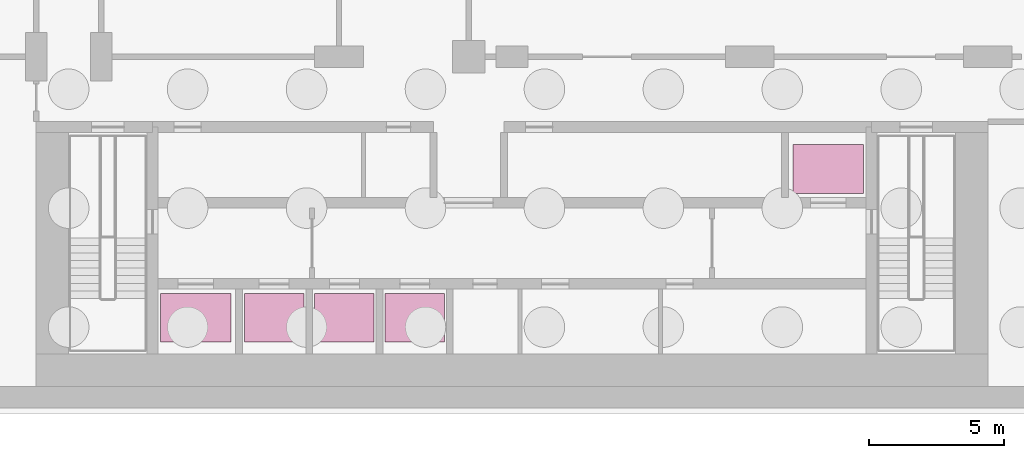
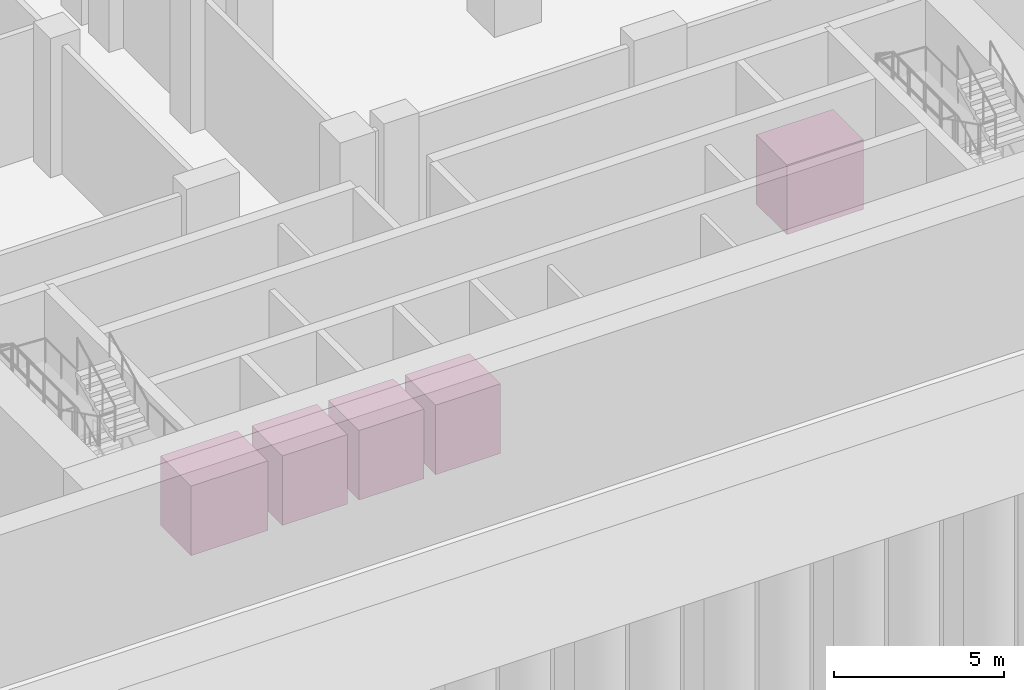
# One storey, part 14 of 14: 5 transport elements.
"""IFC4 building model written with IfcOpenShell, lengths in metres."""

from ifc_helpers import new_model, si_unit, direction, frame, origin, origin_2d, place, context, subcontext, project, spatial, rectangle, extrude, material, type_object, element, save


model = new_model("IFC4")

# Units and contexts
model_context = context("Model", 3, precision=1e-05, world=origin(), true_north=direction((0.0, 1.0)))
body_context = subcontext(model_context, "Body", "Model", "MODEL_VIEW")
ifc_project = project(units=[si_unit("LENGTHUNIT", "METRE"), si_unit("AREAUNIT", "SQUARE_METRE"), si_unit("VOLUMEUNIT", "CUBIC_METRE"), si_unit("PLANEANGLEUNIT", "RADIAN"), si_unit("MASSUNIT", "GRAM", prefix="KILO")], contexts=[model_context])

# Site, building, storey
site_placement = place(None, origin())
site = spatial("IfcSite", under=ifc_project, at=site_placement, CompositionType="ELEMENT")
building_placement = place(site_placement, origin())
building = spatial("IfcBuilding", under=site, at=building_placement, Name="Kemantara Hotel Tower", CompositionType="ELEMENT")
storey_placement = place(building_placement, frame((0.0, 0.0, -17.0)))
storey = spatial("IfcBuildingStorey", under=building, at=storey_placement, Name="B3", CompositionType="ELEMENT", Elevation=-17.0)

# Transport elements
ifc_material = material(Name="Stainless steel lift car", Category="steel")
transport_element_type_1 = type_object("IfcTransportElementType", Name="Firefighting lift 2400 x 1600 mm", PredefinedType="ELEVATOR", material=ifc_material)
for number, where, z_axis, x_axis, name in (
    (1, (15.699951171875, 2.550048828125, 0.0), (0.0, 0.0, 1.0), (1.0, 0.0, 0.0), "Lift FF1 car"),
    (2, (39.10009765625, 8.050048828125, 0.0), (0.0, 0.0, 1.0), (1.0, 0.0, 0.0), "Lift FF2 car"),
):
    element("IfcTransportElement", number, at=place(storey_placement, frame(where, z_axis=z_axis, x_axis=x_axis)), inside=storey, type_object=transport_element_type_1, Name=name, PredefinedType="ELEVATOR", context=body_context, shape_type="SweptSolid", body=[
        extrude(rectangle(XDim=2.60009765625, YDim=1.800048828125, at=origin_2d()), origin(), (0.0, 0.0, 1.0), 2.5),
    ])
transport_element_type_2 = type_object("IfcTransportElementType", Name="Service lift 2000 x 1600 mm", PredefinedType="ELEVATOR", material=ifc_material)
for number, where, z_axis, x_axis, name in (
    (3, (18.60009765625, 2.550048828125, 0.0), (0.0, 0.0, 1.0), (1.0, 0.0, 0.0), "Lift SV1 car"),
    (4, (21.199951171875, 2.550048828125, 0.0), (0.0, 0.0, 1.0), (1.0, 0.0, 0.0), "Lift SV2 car"),
    (5, (23.800048828125, 2.550048828125, 0.0), (0.0, 0.0, 1.0), (1.0, 0.0, 0.0), "Lift SV3 car"),
):
    element("IfcTransportElement", number, at=place(storey_placement, frame(where, z_axis=z_axis, x_axis=x_axis)), inside=storey, type_object=transport_element_type_2, Name=name, PredefinedType="ELEVATOR", context=body_context, shape_type="SweptSolid", body=[
        extrude(rectangle(XDim=2.199951171875, YDim=1.800048828125, at=origin_2d()), origin(), (0.0, 0.0, 1.0), 2.5),
    ])

save(model, "model.ifc")
